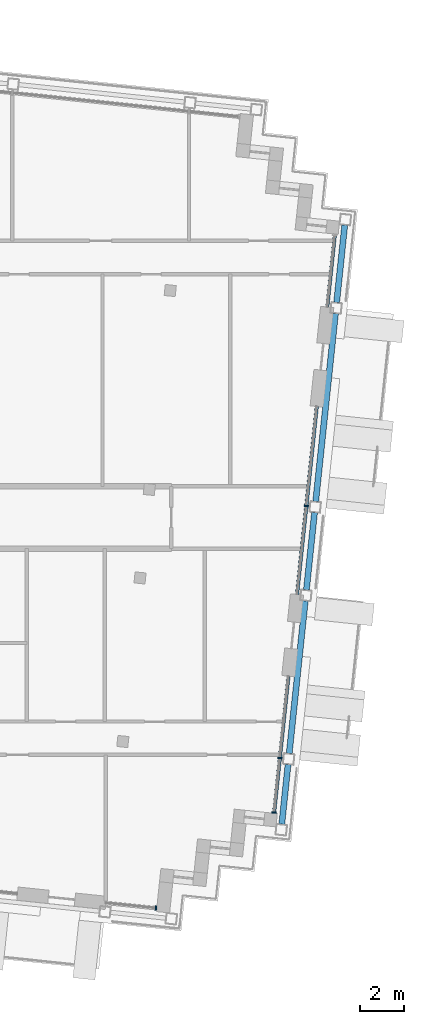
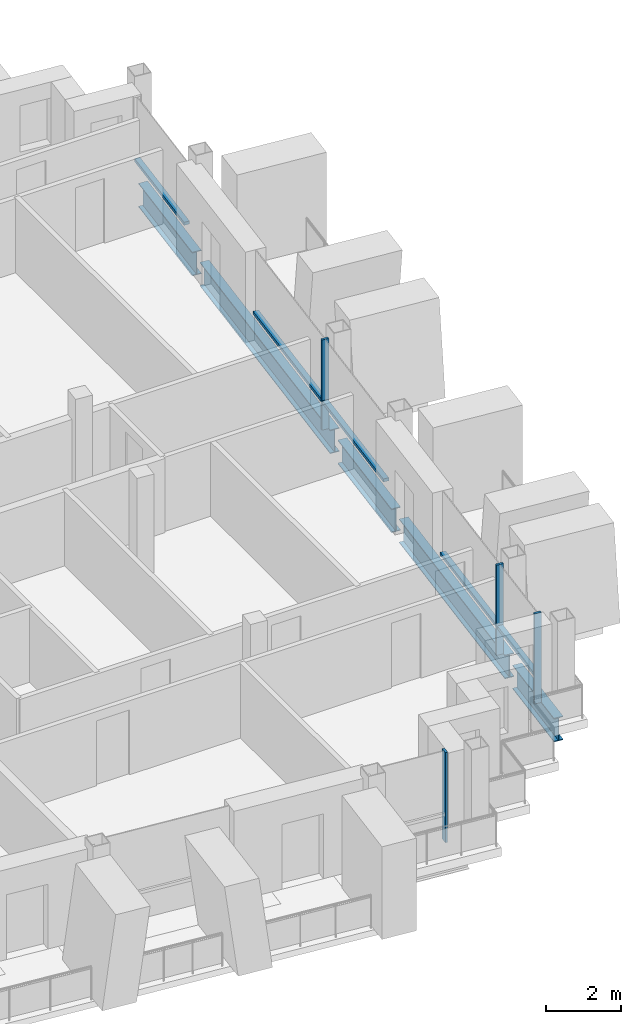
# One storey, part 4 of 16: 9 members, 5 beams, 4 elements without a shape of their own.
"""IFC4 building model written with IfcOpenShell, lengths in metres."""

from ifc_helpers import new_model, si_unit, direction, frame, origin, origin_2d, place, context, subcontext, project, spatial, rectangle, i_section, extrude, material, material_profile, profile_set, type_object, element, aggregate, save


model = new_model("IFC4")

# Units and contexts
model_context = context("Model", 3, precision=1e-05, world=origin(), true_north=direction((0.0, 1.0)))
body_context = subcontext(model_context, "Body", "Model", "MODEL_VIEW")
ifc_project = project(units=[si_unit("LENGTHUNIT", "METRE"), si_unit("AREAUNIT", "SQUARE_METRE"), si_unit("VOLUMEUNIT", "CUBIC_METRE"), si_unit("PLANEANGLEUNIT", "RADIAN"), si_unit("MASSUNIT", "GRAM", prefix="KILO")], contexts=[model_context])

# Site, building, storey
site_placement = place(None, origin())
site = spatial("IfcSite", under=ifc_project, at=site_placement, CompositionType="ELEMENT")
building_placement = place(site_placement, origin())
building = spatial("IfcBuilding", under=site, at=building_placement, Name="Vidyagriha Tower", CompositionType="ELEMENT")
storey_placement = place(building_placement, frame((0.0, 0.0, 253.10009765625)))
storey = spatial("IfcBuildingStorey", under=building, at=storey_placement, Name="L65", CompositionType="ELEMENT", Elevation=253.10009765625)

# Beams
ifc_material_1 = material(Name="Steel ASTM A992 Grade 50", Category="steel")
ifc_material_profile_1 = material_profile(ifc_material_1, i_section(OverallWidth=0.2666015625, OverallDepth=0.76953125, WebThickness=0.015625, FlangeThickness=0.025390625, at=origin_2d()), Name="W30X132")
ifc_profile_set_1 = profile_set([ifc_material_profile_1], Name="Steel ASTM A992 Grade 50")
beam_type = type_object("IfcBeamType", Name="Cantilever edge beam W30X132", PredefinedType="SPANDREL", material=ifc_profile_set_1)
beam_1_placement = place(storey_placement, frame((29.968017578125, -13.79736328125, -0.664794921875), z_axis=(0.104435320588, 0.994531680649, 0.0), x_axis=(-0.994531680649, 0.104435320588, 0.0)))
element("IfcBeam", 1, at=beam_1_placement, inside=storey, type_object=beam_type, Name="st-beam-L65-E13", PredefinedType="SPANDREL", context=body_context, shape_type="SweptSolid", body=[
    extrude(i_section(OverallWidth=0.2666015625, OverallDepth=0.76953125, WebThickness=0.015625, FlangeThickness=0.025390625, at=origin_2d()), origin(), (0.0, 0.0, 1.0), 2.699951171875),
])
beam_2_placement = place(storey_placement, frame((30.30224609375, -10.61474609375, -0.664794921875), z_axis=(0.104557694553, 0.994518822602, 0.0), x_axis=(-0.994518822602, 0.104557694553, 0.0)))
element("IfcBeam", 2, at=beam_2_placement, inside=storey, type_object=beam_type, Name="st-beam-L65-E14", PredefinedType="SPANDREL", context=body_context, shape_type="SweptSolid", body=[
    extrude(i_section(OverallWidth=0.2666015625, OverallDepth=0.76953125, WebThickness=0.015625, FlangeThickness=0.025390625, at=origin_2d()), origin(), (0.0, 0.0, 1.0), 6.89990234375),
])
beam_3_placement = place(storey_placement, frame((31.075927734375, -3.25537109375, -0.664794921875), z_axis=(0.104495960989, 0.994525310958, 0.0), x_axis=(-0.994525310958, 0.104495960989, 0.0)))
element("IfcBeam", 3, at=beam_3_placement, inside=storey, type_object=beam_type, Name="st-beam-L65-E15", PredefinedType="SPANDREL", context=body_context, shape_type="SweptSolid", body=[
    extrude(i_section(OverallWidth=0.2666015625, OverallDepth=0.76953125, WebThickness=0.015625, FlangeThickness=0.025390625, at=origin_2d()), origin(), (0.0, 0.0, 1.0), 3.499755859375),
])
beam_4_placement = place(storey_placement, frame((31.493896484375, 0.72265625, -0.664794921875), z_axis=(0.104550220202, 0.994519608382, 0.0), x_axis=(-0.994519608382, 0.104550220202, 0.0)))
element("IfcBeam", 4, at=beam_4_placement, inside=storey, type_object=beam_type, Name="st-beam-L65-E16", PredefinedType="SPANDREL", context=body_context, shape_type="SweptSolid", body=[
    extrude(i_section(OverallWidth=0.2666015625, OverallDepth=0.76953125, WebThickness=0.015625, FlangeThickness=0.025390625, at=origin_2d()), origin(), (0.0, 0.0, 1.0), 8.5),
])
beam_5_placement = place(storey_placement, frame((32.434814453125, 9.67333984375, -0.664794921875), z_axis=(0.104488712073, 0.994526072584, 0.0), x_axis=(-0.994526072584, 0.104488712073, 0.0)))
element("IfcBeam", 5, at=beam_5_placement, inside=storey, type_object=beam_type, Name="st-beam-L65-E17", PredefinedType="SPANDREL", context=body_context, shape_type="SweptSolid", body=[
    extrude(i_section(OverallWidth=0.2666015625, OverallDepth=0.76953125, WebThickness=0.015625, FlangeThickness=0.025390625, at=origin_2d()), origin(), (0.0, 0.0, 1.0), 3.5),
])

# Curtain wall, member
ifc_material_2 = material(Name="Aluminium and glass curtain wall", Category="aluminium")
curtain_wall_type = type_object("IfcCurtainWallType", Name="Dwelling skin unitised curtain wall", PredefinedType="USERDEFINED", material=ifc_material_2)
curtain_wall_1_placement = place(storey_placement, origin())
curtain_wall_1 = element("IfcCurtainWall", 6, at=curtain_wall_1_placement, inside=storey, type_object=curtain_wall_type, Name="CW1 dwelling skin", ObjectType="UNITISED", PredefinedType="USERDEFINED")
ifc_material_3 = material(Name="Aluminium black anodised", Category="aluminium")
ifc_material_profile_2 = material_profile(ifc_material_3, rectangle(XDim=0.199951171875, YDim=0.070068359375, at=origin_2d()), Name="Mullion 70x200 black aluminium")
ifc_profile_set_2 = profile_set([ifc_material_profile_2], Name="Aluminium black anodised")
member_type_1 = type_object("IfcMemberType", Name="Mullion 70x200 black aluminium", PredefinedType="MULLION", material=ifc_profile_set_2)
member_1_placement = place(storey_placement, frame((24.306884765625, -17.576171875, 0.0), z_axis=(0.0, 0.0, 1.0), x_axis=(0.10452182883, 0.994522592653, 0.0)))
member_1 = element("IfcMember", 7, at=member_1_placement, type_object=member_type_1, Name="CW1 mullion 2", PredefinedType="MULLION", context=body_context, shape_type="SweptSolid", body=[
    extrude(rectangle(XDim=0.199951171875, YDim=0.070068359375, at=origin_2d()), origin(), (0.0, 0.0, 1.0), 2.919921875),
])
aggregate(curtain_wall_1, [member_1])

# Curtain wall, members
curtain_wall_2_placement = place(storey_placement, origin())
curtain_wall_2 = element("IfcCurtainWall", 8, at=curtain_wall_2_placement, inside=storey, type_object=curtain_wall_type, Name="CW1 dwelling skin", ObjectType="UNITISED", PredefinedType="USERDEFINED")
member_2_placement = place(storey_placement, frame((29.620849609375, -13.273193359375, 0.0), z_axis=(0.0, 0.0, 1.0), x_axis=(-0.994521437861, 0.10453281607, 0.0)))
member_2 = element("IfcMember", 9, at=member_2_placement, type_object=member_type_1, Name="CW1 mullion 1", PredefinedType="MULLION", context=body_context, shape_type="SweptSolid", body=[
    extrude(rectangle(XDim=0.199951171875, YDim=0.070068359375, at=origin_2d()), origin(), (0.0, 0.0, 1.0), 2.919921875),
])
member_3_placement = place(storey_placement, frame((29.87841796875, -10.82177734375, 0.0), z_axis=(0.0, 0.0, 1.0), x_axis=(-0.994521437861, 0.10453281607, 0.0)))
member_3 = element("IfcMember", 10, at=member_3_placement, type_object=member_type_1, Name="CW1 mullion 2", PredefinedType="MULLION", context=body_context, shape_type="SweptSolid", body=[
    extrude(rectangle(XDim=0.199951171875, YDim=0.070068359375, at=origin_2d()), origin(), (0.0, 0.0, 1.0), 2.919921875),
])

# Curtain wall, member
curtain_wall_3_placement = place(storey_placement, origin())
curtain_wall_3 = element("IfcCurtainWall", 11, at=curtain_wall_3_placement, inside=storey, type_object=curtain_wall_type, Name="CW1 dwelling skin", ObjectType="UNITISED", PredefinedType="USERDEFINED")
member_4_placement = place(storey_placement, frame((31.070068359375, 0.515869140625, 0.0), z_axis=(0.0, 0.0, 1.0), x_axis=(-0.994521750347, 0.104529843047, 0.0)))
member_4 = element("IfcMember", 12, at=member_4_placement, type_object=member_type_1, Name="CW1 mullion 2", PredefinedType="MULLION", context=body_context, shape_type="SweptSolid", body=[
    extrude(rectangle(XDim=0.199951171875, YDim=0.070068359375, at=origin_2d()), origin(), (0.0, 0.0, 1.0), 2.919921875),
])

# Member
ifc_material_4 = material(Name="Aluminium black anodised", Category="aluminium")
ifc_material_profile_3 = material_profile(ifc_material_4, rectangle(XDim=0.159912109375, YDim=0.10009765625, at=origin_2d()), Name="Transom 100x160 black aluminium")
ifc_profile_set_3 = profile_set([ifc_material_profile_3], Name="Aluminium black anodised")
member_type_2 = type_object("IfcMemberType", Name="Transom 100x160 black aluminium", PredefinedType="USERDEFINED", material=ifc_profile_set_3)
member_5_placement = place(storey_placement, frame((29.62451171875, -13.23828125, 0.89990234375), z_axis=(0.104488443352, 0.994526100817, 0.0), x_axis=(-0.994526100817, 0.104488443352, 0.0)))
member_5 = element("IfcMember", 13, at=member_5_placement, type_object=member_type_2, Name="CW1 transom 1.1", ObjectType="TRANSOM", PredefinedType="USERDEFINED", context=body_context, shape_type="SweptSolid", body=[
    extrude(rectangle(XDim=0.159912109375, YDim=0.10009765625, at=origin_2d()), origin(), (0.0, 0.0, 1.0), 2.39501953125),
])

member_6_placement = place(storey_placement, frame((29.882080078125, -10.786865234375, 0.89990234375), z_axis=(0.104521800028, 0.99452259568, 0.0), x_axis=(-0.99452259568, 0.104521800028, 0.0)))
member_6 = element("IfcMember", 14, at=member_6_placement, type_object=member_type_2, Name="CW1 transom 2.1", ObjectType="TRANSOM", PredefinedType="USERDEFINED", context=body_context, shape_type="SweptSolid", body=[
    extrude(rectangle(XDim=0.159912109375, YDim=0.10009765625, at=origin_2d()), origin(), (0.0, 0.0, 1.0), 3.664794921875),
])

aggregate(curtain_wall_2, [member_2, member_3, member_5, member_6])

member_7_placement = place(storey_placement, frame((30.65185546875, -3.462158203125, 0.89990234375), z_axis=(0.104550167438, 0.994519613929, 0.0), x_axis=(-0.994519613929, 0.104550167438, 0.0)))
member_7 = element("IfcMember", 15, at=member_7_placement, type_object=member_type_2, Name="CW1 transom 1.1", ObjectType="TRANSOM", PredefinedType="USERDEFINED", context=body_context, shape_type="SweptSolid", body=[
    extrude(rectangle(XDim=0.159912109375, YDim=0.10009765625, at=origin_2d()), origin(), (0.0, 0.0, 1.0), 3.965087890625),
])

member_8_placement = place(storey_placement, frame((31.07373046875, 0.55078125, 0.89990234375), z_axis=(0.104494075643, 0.994525509052, 0.0), x_axis=(-0.994525509052, 0.104494075643, 0.0)))
member_8 = element("IfcMember", 16, at=member_8_placement, type_object=member_type_2, Name="CW1 transom 2.1", ObjectType="TRANSOM", PredefinedType="USERDEFINED", context=body_context, shape_type="SweptSolid", body=[
    extrude(rectangle(XDim=0.159912109375, YDim=0.10009765625, at=origin_2d()), origin(), (0.0, 0.0, 1.0), 4.46484375),
])

aggregate(curtain_wall_3, [member_4, member_7, member_8])

# Curtain wall, member
curtain_wall_4_placement = place(storey_placement, origin())
curtain_wall_4 = element("IfcCurtainWall", 17, at=curtain_wall_4_placement, inside=storey, type_object=curtain_wall_type, Name="CW1 dwelling skin", ObjectType="UNITISED", PredefinedType="USERDEFINED")
member_9_placement = place(storey_placement, frame((32.0107421875, 9.466552734375, 0.89990234375), z_axis=(0.104531339354, 0.994521593075, 0.0), x_axis=(-0.994521593075, 0.104531339354, 0.0)))
member_9 = element("IfcMember", 18, at=member_9_placement, type_object=member_type_2, Name="CW1 transom 1.1", ObjectType="TRANSOM", PredefinedType="USERDEFINED", context=body_context, shape_type="SweptSolid", body=[
    extrude(rectangle(XDim=0.159912109375, YDim=0.10009765625, at=origin_2d()), origin(), (0.0, 0.0, 1.0), 3.22998046875),
])
aggregate(curtain_wall_4, [member_9])

save(model, "model.ifc")
